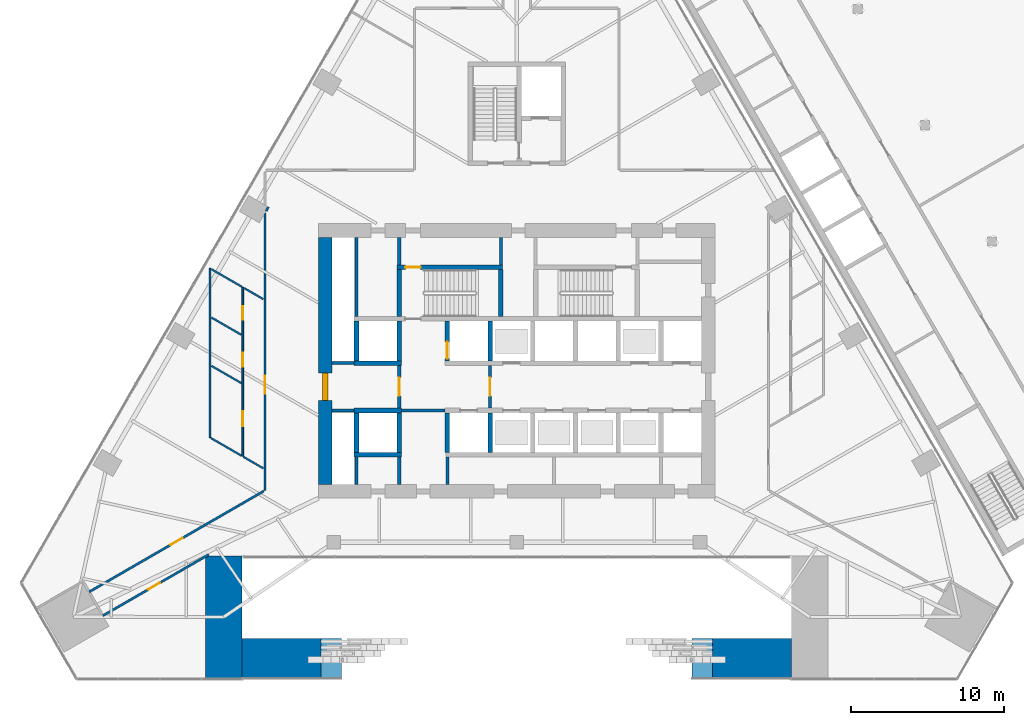
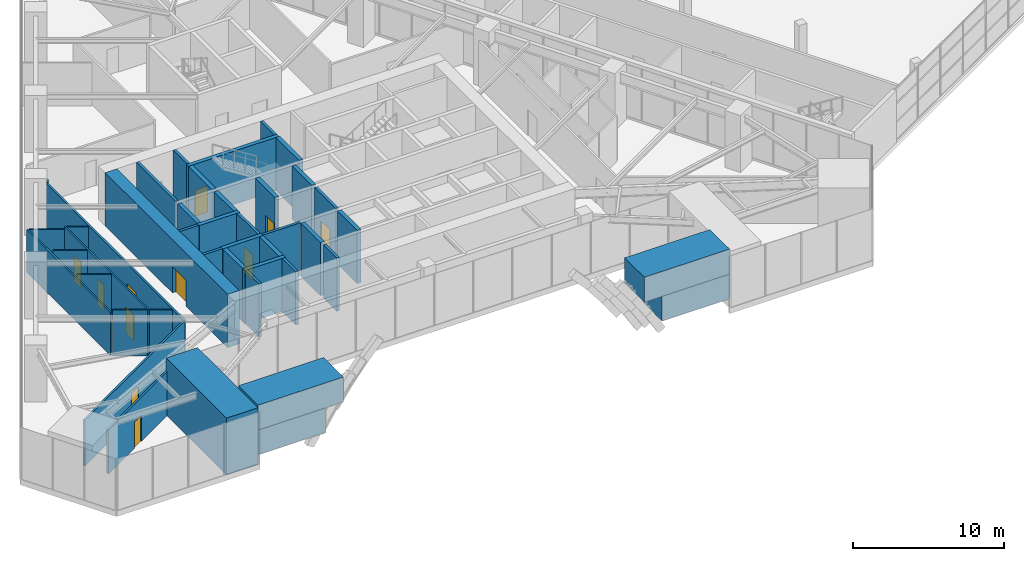
# One storey, part 17 of 29: 43 walls, 11 doors, 11 openings.
"""IFC4 building model written with IfcOpenShell, lengths in metres."""

from ifc_helpers import new_model, si_unit, direction, frame, frame_2d, origin, place, context, subcontext, project, spatial, rectangle, extrude, material, layer, layer_set, type_object, element, fill, save


model = new_model("IFC4")

# Units and contexts
model_context = context("Model", 3, precision=1e-05, world=origin(), true_north=direction((0.0, 1.0)))
body_context = subcontext(model_context, "Body", "Model", "MODEL_VIEW")
ifc_project = project(units=[si_unit("LENGTHUNIT", "METRE"), si_unit("AREAUNIT", "SQUARE_METRE"), si_unit("VOLUMEUNIT", "CUBIC_METRE"), si_unit("PLANEANGLEUNIT", "RADIAN"), si_unit("MASSUNIT", "GRAM", prefix="KILO")], contexts=[model_context])

# Site, building, storey
site_placement = place(None, origin())
site = spatial("IfcSite", under=ifc_project, at=site_placement, CompositionType="ELEMENT")
building_placement = place(site_placement, origin())
building = spatial("IfcBuilding", under=site, at=building_placement, Name="Firuza Gate Tower and Library", CompositionType="ELEMENT")
storey_placement = place(building_placement, frame((0.0, 0.0, 17.199951171875)))
storey = spatial("IfcBuildingStorey", under=building, at=storey_placement, Name="L03", CompositionType="ELEMENT", Elevation=17.199951171875)

# Walls
ifc_material_1 = material(Name="Plasterboard on steel studs", Category="steel")
ifc_layer_1 = layer(ifc_material_1, 0.199951171875)
ifc_layer_set_1 = layer_set([ifc_layer_1], Name="Core partition 200 EI 120")
wall_type_1 = type_object("IfcWallType", Name="Core partition 200 EI 120", PredefinedType="PARTITIONING", material=ifc_layer_set_1)
wall_1_placement = place(storey_placement, frame((62.89990234375, 71.75, 0.0), z_axis=(0.0, 0.0, 1.0), x_axis=(1.0, 0.0, 0.0)))
element("IfcWall", 1, at=wall_1_placement, inside=storey, type_object=wall_type_1, Name="Core partition L03 1", PredefinedType="PARTITIONING", context=body_context, shape_type="SweptSolid", body=[
    extrude(rectangle(XDim=1.4501953125, YDim=0.199951171875, at=frame_2d((0.72509765625, 0.0))), origin(), (0.0, 0.0, 1.0), 4.300048828125),
])
wall_2_placement = place(storey_placement, frame((67.449951171875, 71.75, 0.0), z_axis=(0.0, 0.0, 1.0), x_axis=(1.0, 0.0, 0.0)))
element("IfcWall", 2, at=wall_2_placement, inside=storey, type_object=wall_type_1, Name="Core partition L03 2", PredefinedType="PARTITIONING", context=body_context, shape_type="SweptSolid", body=[
    extrude(rectangle(XDim=2.85009765625, YDim=0.199951171875, at=frame_2d((1.425048828125, 0.0))), origin(), (0.0, 0.0, 1.0), 4.300048828125),
])
wall_3_placement = place(storey_placement, frame((62.89990234375, 74.85009765625, 0.0), z_axis=(0.0, 0.0, 1.0), x_axis=(1.0, 0.0, 0.0)))
element("IfcWall", 3, at=wall_3_placement, inside=storey, type_object=wall_type_1, Name="Core partition L03 3", PredefinedType="PARTITIONING", context=body_context, shape_type="SweptSolid", body=[
    extrude(rectangle(XDim=1.4501953125, YDim=0.199951171875, at=frame_2d((0.72509765625, 0.0))), origin(), (0.0, 0.0, 1.0), 4.300048828125),
])
wall_4_placement = place(storey_placement, frame((64.5, 66.89990234375, 0.0), z_axis=(0.0, 0.0, 1.0), x_axis=(0.0, 1.0, 0.0)))
element("IfcWall", 4, at=wall_4_placement, inside=storey, type_object=wall_type_1, Name="Core partition L03 5", PredefinedType="PARTITIONING", context=body_context, shape_type="SweptSolid", body=[
    extrude(rectangle(XDim=1.800048828125, YDim=0.199951171875, at=frame_2d((0.89990234375, 0.0))), origin(), (0.0, 0.0, 1.0), 4.300048828125),
])
wall_5_placement = place(storey_placement, frame((64.5, 77.89990234375, 0.0), z_axis=(0.0, 0.0, 1.0), x_axis=(0.0, 1.0, 0.0)))
element("IfcWall", 5, at=wall_5_placement, inside=storey, type_object=wall_type_1, Name="Core partition L03 6", PredefinedType="PARTITIONING", context=body_context, shape_type="SweptSolid", body=[
    extrude(rectangle(XDim=5.2001953125, YDim=0.199951171875, at=frame_2d((2.60009765625, 0.0))), origin(), (0.0, 0.0, 1.0), 4.300048828125),
])
for number, where, z_axis, x_axis, name in (
    (6, (67.300048828125, 66.89990234375, 0.0), (0.0, 0.0, 1.0), (0.0, 1.0, 0.0), "Core partition L03 7"),
    (7, (70.449951171875, 66.89990234375, 0.0), (0.0, 0.0, 1.0), (0.0, 1.0, 0.0), "Core partition L03 10"),
):
    element("IfcWall", number, at=place(storey_placement, frame(where, z_axis=z_axis, x_axis=x_axis)), inside=storey, type_object=wall_type_1, Name=name, PredefinedType="PARTITIONING", context=body_context, shape_type="SweptSolid", body=[
        extrude(rectangle(XDim=1.800048828125, YDim=0.199951171875, at=frame_2d((0.89990234375, 0.0))), origin(), (0.0, 0.0, 1.0), 4.300048828125),
    ])

# Wall, opening, door
ifc_material_2 = material(Name="Plasterboard on steel studs", Category="steel")
ifc_layer_2 = layer(ifc_material_2, 0.199951171875)
ifc_layer_set_2 = layer_set([ifc_layer_2], Name="Core partition 200 EI 60")
wall_type_2 = type_object("IfcWallType", Name="Core partition 200 EI 60", PredefinedType="PARTITIONING", material=ifc_layer_set_2)
wall_6_placement = place(storey_placement, frame((67.300048828125, 71.89990234375, 0.0), z_axis=(0.0, 0.0, 1.0), x_axis=(0.0, 1.0, 0.0)))
wall_6 = element("IfcWall", 8, at=wall_6_placement, inside=storey, type_object=wall_type_2, Name="Core partition L03 8", PredefinedType="PARTITIONING", context=body_context, shape_type="SweptSolid", body=[
    extrude(rectangle(XDim=2.800048828125, YDim=0.199951171875, at=frame_2d((1.39990234375, 0.0))), origin(), (0.0, 0.0, 1.0), 4.300048828125),
])
opening_1_placement = place(wall_6_placement, frame((0.800048828125, 0.0, 0.0)))
opening_1 = element("IfcOpeningElement", 9, at=opening_1_placement, cuts=wall_6, Name="Opening L03-K21", PredefinedType="OPENING", context=body_context, shape_type="SweptSolid", body=[
    extrude(rectangle(XDim=1.199951171875, YDim=2.10009765625, at=frame_2d((0.60009765625, 1.050048828125))), frame((0.0, 0.10986328125, 0.0), z_axis=(0.0, -1.0, 0.0), x_axis=(1.0, 0.0, 0.0)), (0.0, 0.0, 1.0), 0.219970703125),
])
ifc_material_3 = material(Name="Steel", Category="steel")
door_type_1 = type_object("IfcDoorType", Name="Fire door 1200x2100 FD90S", OperationType="NOTDEFINED", PredefinedType="DOOR", material=ifc_material_3)
door_1_placement = place(opening_1_placement, origin())
door_1 = element("IfcDoor", 10, at=door_1_placement, inside=storey, type_object=door_type_1, Name="Door L03-K21", OperationType="SINGLE_SWING_RIGHT", OverallHeight=2.10009765625, OverallWidth=1.199951171875, PredefinedType="DOOR", context=body_context, shape_type="SweptSolid", body=[
    extrude(rectangle(XDim=1.199951171875, YDim=2.10009765625, at=frame_2d((0.60009765625, 1.050048828125))), frame((0.0, 0.02490234375, 0.0), z_axis=(0.0, -1.0, 0.0), x_axis=(1.0, 0.0, 0.0)), (0.0, 0.0, 1.0), 0.050048828125),
])
fill(opening_1, door_1)

# Wall
wall_7_placement = place(storey_placement, frame((67.300048828125, 81.280029296875, 0.0), z_axis=(0.0, 0.0, 1.0), x_axis=(0.0, 1.0, 0.0)))
element("IfcWall", 11, at=wall_7_placement, inside=storey, type_object=wall_type_2, Name="Core partition L03 9", PredefinedType="PARTITIONING", context=body_context, shape_type="SweptSolid", body=[
    extrude(rectangle(XDim=1.820068359375, YDim=0.199951171875, at=frame_2d((0.91015625, 0.0))), origin(), (0.0, 0.0, 1.0), 4.300048828125),
])

# Wall, opening, door
wall_8_placement = place(storey_placement, frame((73.25, 71.89990234375, 0.0), z_axis=(0.0, 0.0, 1.0), x_axis=(0.0, 1.0, 0.0)))
wall_8 = element("IfcWall", 12, at=wall_8_placement, inside=storey, type_object=wall_type_2, Name="Core partition L03 11", PredefinedType="PARTITIONING", context=body_context, shape_type="SweptSolid", body=[
    extrude(rectangle(XDim=2.800048828125, YDim=0.199951171875, at=frame_2d((1.39990234375, 0.0))), origin(), (0.0, 0.0, 1.0), 4.300048828125),
])
opening_2_placement = place(wall_8_placement, frame((0.800048828125, 0.0, 0.0)))
opening_2 = element("IfcOpeningElement", 13, at=opening_2_placement, cuts=wall_8, Name="Opening L03-K20", PredefinedType="OPENING", context=body_context, shape_type="SweptSolid", body=[
    extrude(rectangle(XDim=1.199951171875, YDim=2.10009765625, at=frame_2d((0.60009765625, 1.050048828125))), frame((0.0, 0.10986328125, 0.0), z_axis=(0.0, -1.0, 0.0), x_axis=(1.0, 0.0, 0.0)), (0.0, 0.0, 1.0), 0.219970703125),
])
door_2_placement = place(opening_2_placement, origin())
door_2 = element("IfcDoor", 14, at=door_2_placement, inside=storey, type_object=door_type_1, Name="Door L03-K20", OperationType="SINGLE_SWING_LEFT", OverallHeight=2.10009765625, OverallWidth=1.199951171875, PredefinedType="DOOR", context=body_context, shape_type="SweptSolid", body=[
    extrude(rectangle(XDim=1.199951171875, YDim=2.10009765625, at=frame_2d((0.60009765625, 1.050048828125))), frame((0.0, 0.02490234375, 0.0), z_axis=(0.0, -1.0, 0.0), x_axis=(1.0, 0.0, 0.0)), (0.0, 0.0, 1.0), 0.050048828125),
])
fill(opening_2, door_2)

# Walls
wall_9_placement = place(storey_placement, frame((73.9599609375, 81.280029296875, 0.0), z_axis=(0.0, 0.0, 1.0), x_axis=(0.0, 1.0, 0.0)))
element("IfcWall", 15, at=wall_9_placement, inside=storey, type_object=wall_type_2, Name="Core partition L03 12", PredefinedType="PARTITIONING", context=body_context, shape_type="SweptSolid", body=[
    extrude(rectangle(XDim=1.820068359375, YDim=0.199951171875, at=frame_2d((0.91015625, 0.0))), origin(), (0.0, 0.0, 1.0), 4.300048828125),
])
ifc_material_4 = material(Name="Concrete C80/95", Category="concrete")
ifc_layer_3 = layer(ifc_material_4, 0.300048828125)
ifc_layer_set_3 = layer_set([ifc_layer_3], Name="Core wall 300 C80/95")
wall_type_3 = type_object("IfcWallType", Name="Core wall 300 C80/95", PredefinedType="SHEAR", material=ifc_layer_set_3)
for number, where, z_axis, x_axis, name in (
    (16, (64.35009765625, 68.85009765625, 0.0), (0.0, 0.0, 1.0), (1.0, 0.0, 0.0), "Core wall L03 5"),
    (17, (64.35009765625, 71.75, 0.0), (0.0, 0.0, 1.0), (1.0, 0.0, 0.0), "Core wall L03 7"),
    (18, (64.35009765625, 74.85009765625, 0.0), (0.0, 0.0, 1.0), (1.0, 0.0, 0.0), "Core wall L03 9"),
):
    element("IfcWall", number, at=place(storey_placement, frame(where, z_axis=z_axis, x_axis=x_axis)), inside=storey, type_object=wall_type_3, Name=name, PredefinedType="SHEAR", context=body_context, shape_type="SweptSolid", body=[
        extrude(rectangle(XDim=3.099853515625, YDim=0.300048828125, at=frame_2d((1.5498046875, 0.0))), origin(), (0.0, 0.0, 1.0), 4.300048828125),
    ])
for number, where, z_axis, x_axis, name in (
    (19, (64.5, 69.0, 0.0), (0.0, 0.0, 1.0), (0.0, 1.0, 0.0), "Core wall L03 11"),
    (20, (64.5, 75.0, 0.0), (0.0, 0.0, 1.0), (0.0, 1.0, 0.0), "Core wall L03 12"),
    (21, (67.300048828125, 69.0, 0.0), (0.0, 0.0, 1.0), (0.0, 1.0, 0.0), "Core wall L03 13"),
    (22, (67.300048828125, 75.0, 0.0), (0.0, 0.0, 1.0), (0.0, 1.0, 0.0), "Core wall L03 14"),
    (23, (70.449951171875, 69.0, 0.0), (0.0, 0.0, 1.0), (0.0, 1.0, 0.0), "Core wall L03 15"),
):
    element("IfcWall", number, at=place(storey_placement, frame(where, z_axis=z_axis, x_axis=x_axis)), inside=storey, type_object=wall_type_3, Name=name, PredefinedType="SHEAR", context=body_context, shape_type="SweptSolid", body=[
        extrude(rectangle(XDim=2.60009765625, YDim=0.300048828125, at=frame_2d((1.300048828125, 0.0))), origin(), (0.0, 0.0, 1.0), 4.300048828125),
    ])

# Wall, opening, door
wall_10_placement = place(storey_placement, frame((70.449951171875, 75.0, 0.0), z_axis=(0.0, 0.0, 1.0), x_axis=(0.0, 1.0, 0.0)))
wall_10 = element("IfcWall", 24, at=wall_10_placement, inside=storey, type_object=wall_type_3, Name="Core wall L03 16", PredefinedType="SHEAR", context=body_context, shape_type="SweptSolid", body=[
    extrude(rectangle(XDim=2.60009765625, YDim=0.300048828125, at=frame_2d((1.300048828125, 0.0))), origin(), (0.0, 0.0, 1.0), 4.300048828125),
])
opening_3_placement = place(wall_10_placement, frame((0.14990234375, 0.0, 0.0)))
opening_3 = element("IfcOpeningElement", 25, at=opening_3_placement, cuts=wall_10, Name="Opening LD-FF2-L03", PredefinedType="OPENING", context=body_context, shape_type="SweptSolid", body=[
    extrude(rectangle(XDim=1.10009765625, YDim=2.10009765625, at=frame_2d((0.550048828125, 1.050048828125))), frame((0.0, 0.16015625, 0.0), z_axis=(0.0, -1.0, 0.0), x_axis=(1.0, 0.0, 0.0)), (0.0, 0.0, 1.0), 0.320068359375),
])
ifc_material_5 = material(Name="Stainless steel", Category="steel")
door_type_2 = type_object("IfcDoorType", Name="Lift landing door 1100x2100", OperationType="DOUBLE_DOOR_SLIDING", PredefinedType="DOOR", material=ifc_material_5)
door_3_placement = place(opening_3_placement, origin())
door_3 = element("IfcDoor", 26, at=door_3_placement, inside=storey, type_object=door_type_2, Name="Landing door FF2 L03", OperationType="DOUBLE_DOOR_SLIDING", OverallHeight=2.10009765625, OverallWidth=1.10009765625, PredefinedType="DOOR", context=body_context, shape_type="SweptSolid", body=[
    extrude(rectangle(XDim=1.10009765625, YDim=2.10009765625, at=frame_2d((0.550048828125, 1.050048828125))), frame((0.0, 0.02490234375, 0.0), z_axis=(0.0, -1.0, 0.0), x_axis=(1.0, 0.0, 0.0)), (0.0, 0.0, 1.0), 0.050048828125),
])
fill(opening_3, door_3)

# Walls
for number, where, z_axis, x_axis, name in (
    (27, (73.25, 69.0, 0.0), (0.0, 0.0, 1.0), (0.0, 1.0, 0.0), "Core wall L03 17"),
    (28, (73.25, 75.0, 0.0), (0.0, 0.0, 1.0), (0.0, 1.0, 0.0), "Core wall L03 18"),
):
    element("IfcWall", number, at=place(storey_placement, frame(where, z_axis=z_axis, x_axis=x_axis)), inside=storey, type_object=wall_type_3, Name=name, PredefinedType="SHEAR", context=body_context, shape_type="SweptSolid", body=[
        extrude(rectangle(XDim=2.60009765625, YDim=0.300048828125, at=frame_2d((1.300048828125, 0.0))), origin(), (0.0, 0.0, 1.0), 4.300048828125),
    ])

# Wall, opening, door
wall_11_placement = place(storey_placement, frame((67.14990234375, 81.1298828125, 0.0), z_axis=(0.0, 0.0, 1.0), x_axis=(1.0, 0.0, 0.0)))
wall_11 = element("IfcWall", 29, at=wall_11_placement, inside=storey, type_object=wall_type_3, Name="Core wall L03 28", PredefinedType="SHEAR", context=body_context, shape_type="SweptSolid", body=[
    extrude(rectangle(XDim=6.91015625, YDim=0.300048828125, at=frame_2d((3.455078125, 0.0))), origin(), (0.0, 0.0, 1.0), 4.300048828125),
])
opening_4_placement = place(wall_11_placement, frame((0.544921875, 0.0, 0.0)))
opening_4 = element("IfcOpeningElement", 30, at=opening_4_placement, cuts=wall_11, Name="Opening L03-K13", PredefinedType="OPENING", context=body_context, shape_type="SweptSolid", body=[
    extrude(rectangle(XDim=1.0, YDim=2.10009765625, at=frame_2d((0.5, 1.050048828125))), frame((0.0, 0.16015625, 0.0), z_axis=(0.0, -1.0, 0.0), x_axis=(1.0, 0.0, 0.0)), (0.0, 0.0, 1.0), 0.320068359375),
])
ifc_material_6 = material(Name="Steel", Category="steel")
door_type_3 = type_object("IfcDoorType", Name="Fire door 1000x2100 FD90", OperationType="NOTDEFINED", PredefinedType="DOOR", material=ifc_material_6)
door_4_placement = place(opening_4_placement, origin())
door_4 = element("IfcDoor", 31, at=door_4_placement, inside=storey, type_object=door_type_3, Name="Door L03-K13", OperationType="SINGLE_SWING_RIGHT", OverallHeight=2.10009765625, OverallWidth=1.0, PredefinedType="DOOR", context=body_context, shape_type="SweptSolid", body=[
    extrude(rectangle(XDim=1.0, YDim=2.10009765625, at=frame_2d((0.5, 1.050048828125))), frame((0.0, 0.02490234375, 0.0), z_axis=(0.0, -1.0, 0.0), x_axis=(1.0, 0.0, 0.0)), (0.0, 0.0, 1.0), 0.050048828125),
])
fill(opening_4, door_4)

# Walls
for number, where, z_axis, x_axis, name in (
    (32, (67.300048828125, 77.89990234375, 0.0), (0.0, 0.0, 1.0), (0.0, 1.0, 0.0), "Core wall L03 30"),
    (33, (73.9599609375, 77.89990234375, 0.0), (0.0, 0.0, 1.0), (0.0, 1.0, 0.0), "Core wall L03 31"),
):
    element("IfcWall", number, at=place(storey_placement, frame(where, z_axis=z_axis, x_axis=x_axis)), inside=storey, type_object=wall_type_3, Name=name, PredefinedType="SHEAR", context=body_context, shape_type="SweptSolid", body=[
        extrude(rectangle(XDim=3.080078125, YDim=0.300048828125, at=frame_2d((1.5400390625, 0.0))), origin(), (0.0, 0.0, 1.0), 4.300048828125),
    ])

# Wall, opening, door
ifc_material_7 = material(Name="Concrete C80/95", Category="concrete")
ifc_layer_4 = layer(ifc_material_7, 0.89990234375)
ifc_layer_set_4 = layer_set([ifc_layer_4], Name="Core wall 900 C80/95")
wall_type_4 = type_object("IfcWallType", Name="Core wall 900 C80/95", PredefinedType="SHEAR", material=ifc_layer_set_4)
wall_12_placement = place(storey_placement, frame((62.449951171875, 66.89990234375, 0.0), z_axis=(0.0, 0.0, 1.0), x_axis=(0.0, 1.0, 0.0)))
wall_12 = element("IfcWall", 34, at=wall_12_placement, inside=storey, type_object=wall_type_4, Name="Core wall L03 3", PredefinedType="SHEAR", context=body_context, shape_type="SweptSolid", body=[
    extrude(rectangle(XDim=16.2001953125, YDim=0.89990234375, at=frame_2d((8.10009765625, 0.0))), origin(), (0.0, 0.0, 1.0), 4.300048828125),
])
opening_5_placement = place(wall_12_placement, frame((5.5, 0.0, 0.0)))
opening_5 = element("IfcOpeningElement", 35, at=opening_5_placement, cuts=wall_12, Name="Opening L03-K22", PredefinedType="OPENING", context=body_context, shape_type="SweptSolid", body=[
    extrude(rectangle(XDim=1.800048828125, YDim=2.10009765625, at=frame_2d((0.89990234375, 1.050048828125))), frame((0.0, 0.4599609375, 0.0), z_axis=(0.0, -1.0, 0.0), x_axis=(1.0, 0.0, 0.0)), (0.0, 0.0, 1.0), 0.919921875),
])
ifc_material_8 = material(Name="Steel", Category="steel")
door_type_4 = type_object("IfcDoorType", Name="Fire door 1800x2100 FD30S", OperationType="NOTDEFINED", PredefinedType="DOOR", material=ifc_material_8)
door_5_placement = place(opening_5_placement, origin())
door_5 = element("IfcDoor", 36, at=door_5_placement, inside=storey, type_object=door_type_4, Name="Door L03-K22", OperationType="SINGLE_SWING_LEFT", OverallHeight=2.10009765625, OverallWidth=1.800048828125, PredefinedType="DOOR", context=body_context, shape_type="SweptSolid", body=[
    extrude(rectangle(XDim=1.800048828125, YDim=2.10009765625, at=frame_2d((0.89990234375, 1.050048828125))), frame((0.0, 0.169921875, 0.0), z_axis=(0.0, -1.0, 0.0), x_axis=(1.0, 0.0, 0.0)), (0.0, 0.0, 1.0), 0.33984375),
])
fill(opening_5, door_5)

ifc_material_9 = material(Name="Gypsum board partition")
ifc_layer_5 = layer(ifc_material_9, 0.14990234375)
ifc_layer_set_5 = layer_set([ifc_layer_5], Name="Corridor wall 150 double board on steel studs")
wall_type_5 = type_object("IfcWallType", Name="Corridor wall 150 double board on steel studs", PredefinedType="PARTITIONING", material=ifc_layer_set_5)
wall_13_placement = place(storey_placement, frame((54.813720703125, 62.306396484375, 0.0), z_axis=(0.0, 0.0, 1.0), x_axis=(-0.866015941479, -0.500016388836, 0.0)))
wall_13 = element("IfcWall", 37, at=wall_13_placement, inside=storey, type_object=wall_type_5, Name="f:L03:w008", PredefinedType="PARTITIONING", context=body_context, shape_type="SweptSolid", body=[
    extrude(rectangle(XDim=8.004638671875, YDim=0.14990234375, at=frame_2d((4.00244140625, 0.0))), origin(), (0.0, 0.0, 1.0), 3.547119140625),
])
opening_6_placement = place(wall_13_placement, frame((3.687255859375, 0.0, 0.0)))
opening_6 = element("IfcOpeningElement", 38, at=opening_6_placement, cuts=wall_13, Name="Opening L03-04", PredefinedType="OPENING", context=body_context, shape_type="SweptSolid", body=[
    extrude(rectangle(XDim=0.89990234375, YDim=2.10009765625, at=frame_2d((0.449951171875, 1.050048828125))), frame((0.0, 0.0849609375, 0.0), z_axis=(0.0, -1.0, 0.0), x_axis=(1.0, 0.0, 0.0)), (0.0, 0.0, 1.0), 0.169921875),
])
ifc_material_10 = material(Name="Steel door and timber leaf", Category="steel")
door_type_5 = type_object("IfcDoorType", Name="Fire door 900 x 2100 steel frame, timber leaf", OperationType="NOTDEFINED", PredefinedType="DOOR", material=ifc_material_10)
door_6_placement = place(opening_6_placement, origin())
door_6 = element("IfcDoor", 39, at=door_6_placement, inside=storey, type_object=door_type_5, Name="f:L03:d004", OperationType="SINGLE_SWING_RIGHT", OverallHeight=2.10009765625, OverallWidth=0.89990234375, PredefinedType="DOOR", context=body_context, shape_type="SweptSolid", body=[
    extrude(rectangle(XDim=0.89990234375, YDim=2.10009765625, at=frame_2d((0.449951171875, 1.050048828125))), frame((0.0, 0.02490234375, 0.0), z_axis=(0.0, -1.0, 0.0), x_axis=(1.0, 0.0, 0.0)), (0.0, 0.0, 1.0), 0.050048828125),
])
fill(opening_6, door_6)

wall_14_placement = place(storey_placement, frame((46.98095703125, 59.862548828125, 0.0), z_axis=(0.0, 0.0, 1.0), x_axis=(0.866027754727, 0.499995928025, 0.0)))
wall_14 = element("IfcWall", 40, at=wall_14_placement, inside=storey, type_object=wall_type_5, Name="f:L03:w010", PredefinedType="PARTITIONING", context=body_context, shape_type="SweptSolid", body=[
    extrude(rectangle(XDim=13.21435546875, YDim=0.14990234375, at=frame_2d((6.607177734375, 0.0))), origin(), (0.0, 0.0, 1.0), 3.699951171875),
])
opening_7_placement = place(wall_14_placement, frame((6.1572265625, 0.0, 0.0)))
opening_7 = element("IfcOpeningElement", 41, at=opening_7_placement, cuts=wall_14, Name="Opening L03-05", PredefinedType="OPENING", context=body_context, shape_type="SweptSolid", body=[
    extrude(rectangle(XDim=0.89990234375, YDim=2.10009765625, at=frame_2d((0.449951171875, 1.050048828125))), frame((0.0, 0.0849609375, 0.0), z_axis=(0.0, -1.0, 0.0), x_axis=(1.0, 0.0, 0.0)), (0.0, 0.0, 1.0), 0.169921875),
])
door_7_placement = place(opening_7_placement, origin())
door_7 = element("IfcDoor", 42, at=door_7_placement, inside=storey, type_object=door_type_5, Name="f:L03:d005", OperationType="SINGLE_SWING_RIGHT", OverallHeight=2.10009765625, OverallWidth=0.89990234375, PredefinedType="DOOR", context=body_context, shape_type="SweptSolid", body=[
    extrude(rectangle(XDim=0.89990234375, YDim=2.10009765625, at=frame_2d((0.449951171875, 1.050048828125))), frame((0.0, 0.02490234375, 0.0), z_axis=(0.0, -1.0, 0.0), x_axis=(1.0, 0.0, 0.0)), (0.0, 0.0, 1.0), 0.050048828125),
])
fill(opening_7, door_7)

# Wall
wall_15_placement = place(storey_placement, frame((58.57568359375, 84.820068359375, 0.0), z_axis=(0.0, 0.0, 1.0), x_axis=(0.49972245349, 0.866185586049, 0.0)))
element("IfcWall", 43, at=wall_15_placement, inside=storey, type_object=wall_type_5, Name="f:L03:w013", PredefinedType="PARTITIONING", context=body_context, shape_type="SweptSolid", body=[
    extrude(rectangle(XDim=0.307861328125, YDim=0.14990234375, at=frame_2d((0.15380859375, 0.0))), origin(), (0.0, 0.0, 1.0), 3.699951171875),
])

# Wall, opening, door
wall_16_placement = place(storey_placement, frame((58.5, 66.512939453125, 0.0), z_axis=(0.0, 0.0, 1.0), x_axis=(0.0, 1.0, 0.0)))
wall_16 = element("IfcWall", 44, at=wall_16_placement, inside=storey, type_object=wall_type_5, Name="f:L03:w022", PredefinedType="PARTITIONING", context=body_context, shape_type="SweptSolid", body=[
    extrude(rectangle(XDim=18.17724609375, YDim=0.14990234375, at=frame_2d((9.088623046875, 0.0))), origin(), (0.0, 0.0, 1.0), 3.699951171875),
])
opening_8_placement = place(wall_16_placement, frame((6.328369140625, 0.0, 0.0)))
opening_8 = element("IfcOpeningElement", 45, at=opening_8_placement, cuts=wall_16, Name="Opening L03-11", PredefinedType="OPENING", context=body_context, shape_type="SweptSolid", body=[
    extrude(rectangle(XDim=1.199951171875, YDim=2.10009765625, at=frame_2d((0.60009765625, 1.050048828125))), frame((0.0, 0.0849609375, 0.0), z_axis=(0.0, -1.0, 0.0), x_axis=(1.0, 0.0, 0.0)), (0.0, 0.0, 1.0), 0.169921875),
])
ifc_material_11 = material(Name="Steel door and timber leaf", Category="steel")
door_type_6 = type_object("IfcDoorType", Name="Fire door 1200 x 2100 steel frame, double leaf", OperationType="NOTDEFINED", PredefinedType="DOOR", material=ifc_material_11)
door_8_placement = place(opening_8_placement, origin())
door_8 = element("IfcDoor", 46, at=door_8_placement, inside=storey, type_object=door_type_6, Name="f:L03:d011", OperationType="DOUBLE_DOOR_SINGLE_SWING", OverallHeight=2.10009765625, OverallWidth=1.199951171875, PredefinedType="DOOR", context=body_context, shape_type="SweptSolid", body=[
    extrude(rectangle(XDim=1.199951171875, YDim=2.10009765625, at=frame_2d((0.60009765625, 1.050048828125))), frame((0.0, 0.02490234375, 0.0), z_axis=(0.0, -1.0, 0.0), x_axis=(1.0, 0.0, 0.0)), (0.0, 0.0, 1.0), 0.050048828125),
])
fill(opening_8, door_8)

# Walls
ifc_material_12 = material(Name="Concrete C80/95", Category="concrete")
ifc_layer_6 = layer(ifc_material_12, 2.39990234375)
ifc_layer_set_6 = layer_set([ifc_layer_6], Name="Iwan wall 2400 C80/95")
wall_type_6 = type_object("IfcWallType", Name="Iwan wall 2400 C80/95", PredefinedType="SHEAR", material=ifc_layer_set_6)
wall_17_placement = place(storey_placement, frame((55.800048828125, 54.21533203125, 0.0), z_axis=(0.0, 0.0, 1.0), x_axis=(0.0, 1.0, 0.0)))
element("IfcWall", 47, at=wall_17_placement, inside=storey, type_object=wall_type_6, Name="Iwan wall W L03", PredefinedType="SHEAR", context=body_context, shape_type="SweptSolid", body=[
    extrude(rectangle(XDim=8.0, YDim=2.39990234375, at=frame_2d((4.0, 0.0))), origin(), (0.0, 0.0, 1.0), 4.60009765625),
])
ifc_material_13 = material(Name="Concrete C60/75", Category="concrete")
ifc_layer_7 = layer(ifc_material_13, 2.60009765625)
ifc_layer_set_7 = layer_set([ifc_layer_7], Name="Portal wall 2600 C60/75")
wall_type_7 = type_object("IfcWallType", Name="Portal wall 2600 C60/75", PredefinedType="SOLIDWALL", material=ifc_layer_set_7)
for number, where, z_axis, x_axis, name in (
    (48, (57.0, 55.515380859375, 0.800048828125), (0.0, 0.0, 1.0), (1.0, 0.0, 0.0), "Portal wall course 10"),
    (49, (87.83447265625, 55.515380859375, 0.800048828125), (0.0, 0.0, 1.0), (1.0, 0.0, 0.0), "Portal wall course 10"),
):
    element("IfcWall", number, at=place(storey_placement, frame(where, z_axis=z_axis, x_axis=x_axis)), inside=storey, type_object=wall_type_7, Name=name, PredefinedType="SOLIDWALL", context=body_context, shape_type="SweptSolid", body=[
        extrude(rectangle(XDim=5.16552734375, YDim=2.60009765625, at=frame_2d((2.582763671875, 0.0))), origin(), (0.0, 0.0, 1.0), 2.0),
    ])
for number, where, z_axis, x_axis, name in (
    (50, (57.0, 55.515380859375, 2.800048828125), (0.0, 0.0, 1.0), (1.0, 0.0, 0.0), "Portal wall course 11"),
    (51, (86.491943359375, 55.515380859375, 2.800048828125), (0.0, 0.0, 1.0), (1.0, 0.0, 0.0), "Portal wall course 11"),
):
    element("IfcWall", number, at=place(storey_placement, frame(where, z_axis=z_axis, x_axis=x_axis)), inside=storey, type_object=wall_type_7, Name=name, PredefinedType="SOLIDWALL", context=body_context, shape_type="SweptSolid", body=[
        extrude(rectangle(XDim=6.508056640625, YDim=2.60009765625, at=frame_2d((3.25390625, 0.0))), origin(), (0.0, 0.0, 1.0), 2.0),
    ])

# Wall, openings, doors
ifc_material_14 = material(Name="Gypsum board partition")
ifc_layer_8 = layer(ifc_material_14, 0.1201171875)
ifc_layer_set_8 = layer_set([ifc_layer_8], Name="Wet-area partition 120 moisture-resistant board")
wall_type_8 = type_object("IfcWallType", Name="Wet-area partition 120 moisture-resistant board", PredefinedType="PARTITIONING", material=ifc_layer_set_8)
wall_18_placement = place(storey_placement, frame((57.050048828125, 79.82080078125, 0.0), z_axis=(0.0, 0.0, 1.0), x_axis=(0.0, -1.0, 0.0)))
wall_18 = element("IfcWall", 52, at=wall_18_placement, inside=storey, type_object=wall_type_8, Name="f:L03:w024", PredefinedType="PARTITIONING", context=body_context, shape_type="SweptSolid", body=[
    extrude(rectangle(XDim=11.0849609375, YDim=0.1201171875, at=frame_2d((5.54248046875, 0.0))), origin(), (0.0, 0.0, 1.0), 3.699951171875),
])
opening_9_placement = place(wall_18_placement, frame((1.235107421875, 0.0, 0.0)))
opening_9 = element("IfcOpeningElement", 53, at=opening_9_placement, cuts=wall_18, Name="Opening L03-12", PredefinedType="OPENING", context=body_context, shape_type="SweptSolid", body=[
    extrude(rectangle(XDim=0.89990234375, YDim=2.10009765625, at=frame_2d((0.449951171875, 1.050048828125))), frame((0.0, 0.070068359375, 0.0), z_axis=(0.0, -1.0, 0.0), x_axis=(1.0, 0.0, 0.0)), (0.0, 0.0, 1.0), 0.14013671875),
])
opening_10_placement = place(wall_18_placement, frame((4.300537109375, 0.0, 0.0)))
opening_10 = element("IfcOpeningElement", 54, at=opening_10_placement, cuts=wall_18, Name="Opening L03-13", PredefinedType="OPENING", context=body_context, shape_type="SweptSolid", body=[
    extrude(rectangle(XDim=0.89990234375, YDim=2.10009765625, at=frame_2d((0.449951171875, 1.050048828125))), frame((0.0, 0.070068359375, 0.0), z_axis=(0.0, -1.0, 0.0), x_axis=(1.0, 0.0, 0.0)), (0.0, 0.0, 1.0), 0.14013671875),
])
opening_11_placement = place(wall_18_placement, frame((8.10791015625, 0.0, 0.0)))
opening_11 = element("IfcOpeningElement", 55, at=opening_11_placement, cuts=wall_18, Name="Opening L03-14", PredefinedType="OPENING", context=body_context, shape_type="SweptSolid", body=[
    extrude(rectangle(XDim=1.0, YDim=2.10009765625, at=frame_2d((0.5, 1.050048828125))), frame((0.0, 0.070068359375, 0.0), z_axis=(0.0, -1.0, 0.0), x_axis=(1.0, 0.0, 0.0)), (0.0, 0.0, 1.0), 0.14013671875),
])
ifc_material_15 = material(Name="Timber door", Category="wood")
door_type_7 = type_object("IfcDoorType", Name="Door 1000 x 2100 timber leaf", OperationType="NOTDEFINED", PredefinedType="DOOR", material=ifc_material_15)
door_9_placement = place(opening_11_placement, origin())
door_9 = element("IfcDoor", 56, at=door_9_placement, inside=storey, type_object=door_type_7, Name="f:L03:d014", OperationType="SINGLE_SWING_RIGHT", OverallHeight=2.10009765625, OverallWidth=1.0, PredefinedType="DOOR", context=body_context, shape_type="SweptSolid", body=[
    extrude(rectangle(XDim=1.0, YDim=2.10009765625, at=frame_2d((0.5, 1.050048828125))), frame((0.0, 0.02490234375, 0.0), z_axis=(0.0, -1.0, 0.0), x_axis=(1.0, 0.0, 0.0)), (0.0, 0.0, 1.0), 0.050048828125),
])
fill(opening_11, door_9)
ifc_material_16 = material(Name="Timber door", Category="wood")
door_type_8 = type_object("IfcDoorType", Name="Door 900 x 2100 timber leaf", OperationType="NOTDEFINED", PredefinedType="DOOR", material=ifc_material_16)
door_10_placement = place(opening_9_placement, origin())
door_10 = element("IfcDoor", 57, at=door_10_placement, inside=storey, type_object=door_type_8, Name="f:L03:d012", OperationType="SINGLE_SWING_RIGHT", OverallHeight=2.10009765625, OverallWidth=0.89990234375, PredefinedType="DOOR", context=body_context, shape_type="SweptSolid", body=[
    extrude(rectangle(XDim=0.89990234375, YDim=2.10009765625, at=frame_2d((0.449951171875, 1.050048828125))), frame((0.0, 0.02490234375, 0.0), z_axis=(0.0, -1.0, 0.0), x_axis=(1.0, 0.0, 0.0)), (0.0, 0.0, 1.0), 0.050048828125),
])
fill(opening_9, door_10)
door_11_placement = place(opening_10_placement, origin())
door_11 = element("IfcDoor", 58, at=door_11_placement, inside=storey, type_object=door_type_8, Name="f:L03:d013", OperationType="SINGLE_SWING_LEFT", OverallHeight=2.10009765625, OverallWidth=0.89990234375, PredefinedType="DOOR", context=body_context, shape_type="SweptSolid", body=[
    extrude(rectangle(XDim=0.89990234375, YDim=2.10009765625, at=frame_2d((0.449951171875, 1.050048828125))), frame((0.0, 0.02490234375, 0.0), z_axis=(0.0, -1.0, 0.0), x_axis=(1.0, 0.0, 0.0)), (0.0, 0.0, 1.0), 0.050048828125),
])
fill(opening_10, door_11)

# Walls
wall_19_placement = place(storey_placement, frame((54.89990234375, 69.97802734375, 0.0), z_axis=(0.0, 0.0, 1.0), x_axis=(0.0, 1.0, 0.0)))
element("IfcWall", 59, at=wall_19_placement, inside=storey, type_object=wall_type_8, Name="f:L03:w025", PredefinedType="PARTITIONING", context=body_context, shape_type="SweptSolid", body=[
    extrude(rectangle(XDim=11.082763671875, YDim=0.1201171875, at=frame_2d((5.54150390625, 0.0))), origin(), (0.0, 0.0, 1.0), 3.465087890625),
])
wall_20_placement = place(storey_placement, frame((58.389892578125, 79.046142578125, 0.0), z_axis=(0.0, 0.0, 1.0), x_axis=(-0.866027848477, 0.499995765644, 0.0)))
element("IfcWall", 60, at=wall_20_placement, inside=storey, type_object=wall_type_8, Name="f:L03:w031", PredefinedType="PARTITIONING", context=body_context, shape_type="SweptSolid", body=[
    extrude(rectangle(XDim=1.443359375, YDim=0.1201171875, at=frame_2d((0.7216796875, 0.0))), origin(), (0.0, 0.0, 1.0), 3.699951171875),
])
for number, where, z_axis, x_axis, name in (
    (61, (56.955322265625, 76.708251953125, 0.0), (0.0, 0.0, 1.0), (-0.866011396007, 0.500024261398, 0.0), "f:L03:w032"),
    (62, (56.955322265625, 73.541015625, 0.0), (0.0, 0.0, 1.0), (-0.866011396007, 0.500024261398, 0.0), "f:L03:w033"),
):
    element("IfcWall", number, at=place(storey_placement, frame(where, z_axis=z_axis, x_axis=x_axis)), inside=storey, type_object=wall_type_8, Name=name, PredefinedType="PARTITIONING", context=body_context, shape_type="SweptSolid", body=[
        extrude(rectangle(XDim=2.26416015625, YDim=0.1201171875, at=frame_2d((1.132080078125, 0.0))), origin(), (0.0, 0.0, 1.0), 3.699951171875),
    ])
wall_21_placement = place(storey_placement, frame((58.390380859375, 67.9619140625, 0.0), z_axis=(0.0, 0.0, 1.0), x_axis=(-0.865984448825, 0.500070929363, 0.0)))
element("IfcWall", 63, at=wall_21_placement, inside=storey, type_object=wall_type_8, Name="f:L03:w034", PredefinedType="PARTITIONING", context=body_context, shape_type="SweptSolid", body=[
    extrude(rectangle(XDim=1.495849609375, YDim=0.1201171875, at=frame_2d((0.748046875, 0.0))), origin(), (0.0, 0.0, 1.0), 3.699951171875),
])
wall_22_placement = place(storey_placement, frame((57.004638671875, 79.84619140625, 0.0), z_axis=(0.0, 0.0, 1.0), x_axis=(-0.866078709717, 0.499907660049, 0.0)))
element("IfcWall", 64, at=wall_22_placement, inside=storey, type_object=wall_type_8, Name="f:L03:w038", PredefinedType="PARTITIONING", context=body_context, shape_type="SweptSolid", body=[
    extrude(rectangle(XDim=2.3203125, YDim=0.1201171875, at=frame_2d((1.16015625, 0.0))), origin(), (0.0, 0.0, 1.0), 3.465087890625),
])
wall_23_placement = place(storey_placement, frame((56.9599609375, 68.787841796875, 0.0), z_axis=(0.0, 0.0, 1.0), x_axis=(-0.866028885721, 0.49999396906, 0.0)))
element("IfcWall", 65, at=wall_23_placement, inside=storey, type_object=wall_type_8, Name="f:L03:w039", PredefinedType="PARTITIONING", context=body_context, shape_type="SweptSolid", body=[
    extrude(rectangle(XDim=2.30908203125, YDim=0.1201171875, at=frame_2d((1.154541015625, 0.0))), origin(), (0.0, 0.0, 1.0), 3.699951171875),
])

save(model, "model.ifc")
